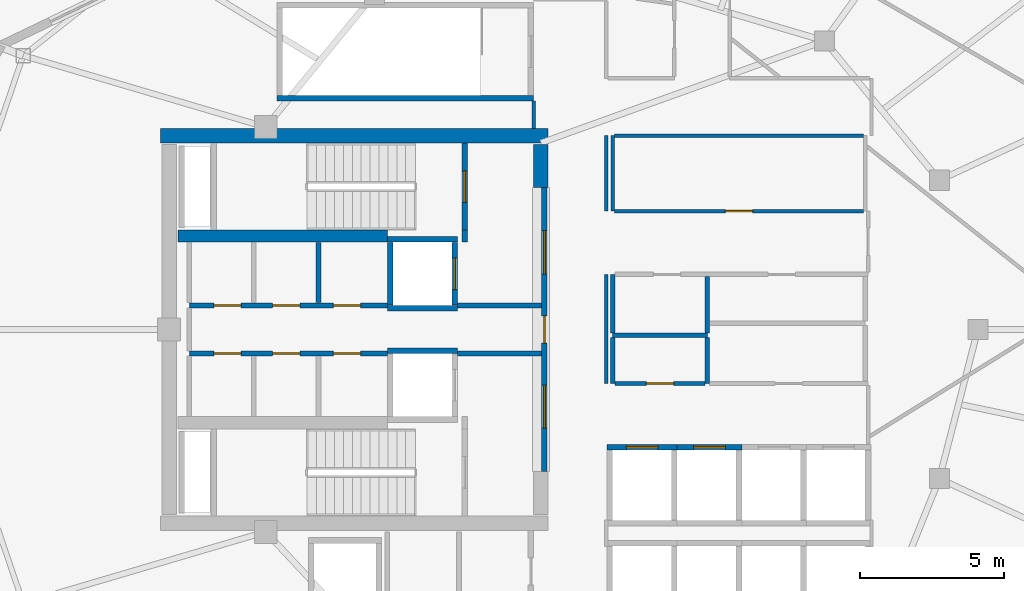
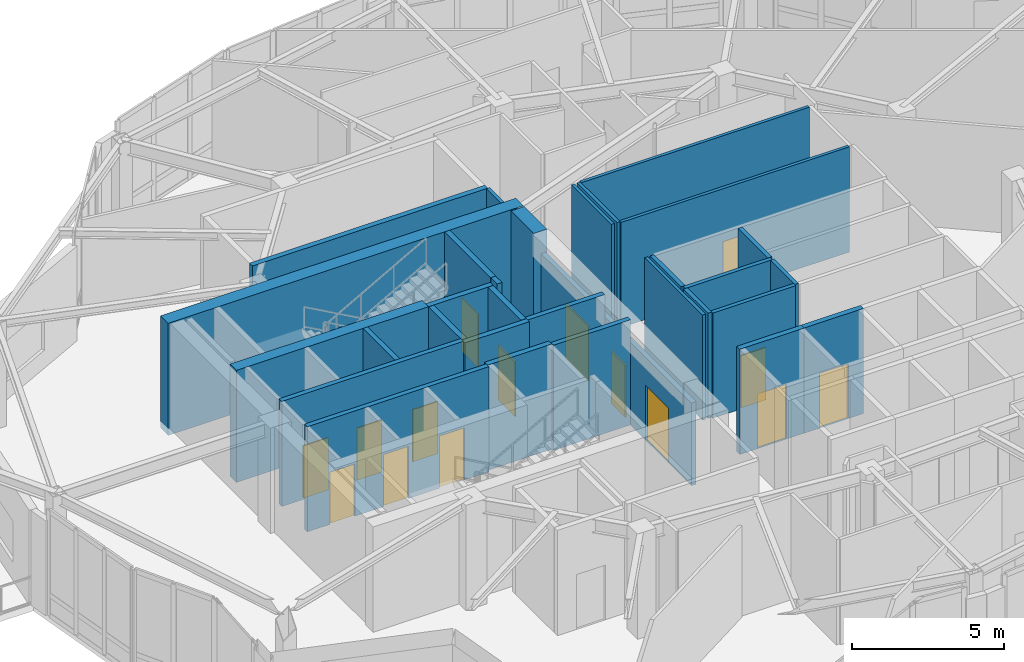
# One storey, part 10 of 15: 31 walls, 15 doors, 15 openings.
"""IFC4 building model written with IfcOpenShell, lengths in metres."""

from ifc_helpers import new_model, si_unit, direction, frame, frame_2d, origin, place, context, subcontext, project, spatial, rectangle, extrude, material, layer, layer_set, type_object, element, fill, save


model = new_model("IFC4")

# Units and contexts
model_context = context("Model", 3, precision=1e-05, world=origin(), true_north=direction((0.0, 1.0)))
body_context = subcontext(model_context, "Body", "Model", "MODEL_VIEW")
ifc_project = project(units=[si_unit("LENGTHUNIT", "METRE"), si_unit("AREAUNIT", "SQUARE_METRE"), si_unit("VOLUMEUNIT", "CUBIC_METRE"), si_unit("PLANEANGLEUNIT", "RADIAN"), si_unit("MASSUNIT", "GRAM", prefix="KILO")], contexts=[model_context])

# Site, building, storey
site_placement = place(None, origin())
site = spatial("IfcSite", under=ifc_project, at=site_placement, CompositionType="ELEMENT")
building_placement = place(site_placement, origin())
building = spatial("IfcBuilding", under=site, at=building_placement, Name="Kolvaren Gate Tower and Convention Centre", CompositionType="ELEMENT")
storey_placement = place(building_placement, frame((0.0, 0.0, 191.89990234375)))
storey = spatial("IfcBuildingStorey", under=building, at=storey_placement, Name="L50", CompositionType="ELEMENT", Elevation=191.89990234375)

# Wall
ifc_material_1 = material(Name="Autoclaved Aerated Masonry Blockwork Class 4 (4.0 MPa)", Category="masonry")
ifc_layer_1 = layer(ifc_material_1, 0.179931640625)
ifc_layer_set_1 = layer_set([ifc_layer_1], Name="Autoclaved Aerated Masonry Blockwork Class 4 (4.0 MPa)")
wall_type_1 = type_object("IfcWallType", Name="ARCH-WL-COMP-180", PredefinedType="SOLIDWALL", material=ifc_layer_set_1)
wall_1_placement = place(storey_placement, frame((24.85009765625, 30.0400390625, 0.0), z_axis=(0.0, 0.0, 1.0), x_axis=(0.0, 1.0, 0.0)))
element("IfcWall", 1, at=wall_1_placement, inside=storey, type_object=wall_type_1, Name="Interior Partition WL-L50-INT-002", PredefinedType="SOLIDWALL", context=body_context, shape_type="SweptSolid", body=[
    extrude(rectangle(XDim=0.419921875, YDim=0.179931640625, at=frame_2d((0.2099609375, 0.0))), origin(), (0.0, 0.0, 1.0), 4.22998046875),
])

# Wall, openings, doors
wall_2_placement = place(storey_placement, frame((27.6201171875, 22.050048828125, 0.0), z_axis=(0.0, 0.0, 1.0), x_axis=(0.0, 1.0, 0.0)))
wall_2 = element("IfcWall", 2, at=wall_2_placement, inside=storey, type_object=wall_type_1, Name="Interior Partition WL-L50-INT-003", PredefinedType="SOLIDWALL", context=body_context, shape_type="SweptSolid", body=[
    extrude(rectangle(XDim=9.89990234375, YDim=0.179931640625, at=frame_2d((4.949951171875, 0.0))), origin(), (0.0, 0.0, 1.0), 3.322021484375),
])
opening_1_placement = place(wall_2_placement, frame((4.47509765625, 0.0, 0.0)))
opening_1 = element("IfcOpeningElement", 3, at=opening_1_placement, cuts=wall_2, Name="Opening DR-01", PredefinedType="OPENING", context=body_context, shape_type="SweptSolid", body=[
    extrude(rectangle(XDim=0.949951171875, YDim=2.10009765625, at=frame_2d((0.47509765625, 1.050048828125))), frame((0.0, 0.099853515625, 0.0), z_axis=(0.0, -1.0, 0.0), x_axis=(1.0, 0.0, 0.0)), (0.0, 0.0, 1.0), 0.199951171875),
])
opening_2_placement = place(wall_2_placement, frame((6.889892578125, 0.0, 0.0)))
opening_2 = element("IfcOpeningElement", 4, at=opening_2_placement, cuts=wall_2, Name="Opening DL-01", PredefinedType="OPENING", context=body_context, shape_type="SweptSolid", body=[
    extrude(rectangle(XDim=1.5, YDim=2.199951171875, at=frame_2d((0.75, 1.10009765625))), frame((0.0, 0.099853515625, 0.0), z_axis=(0.0, -1.0, 0.0), x_axis=(1.0, 0.0, 0.0)), (0.0, 0.0, 1.0), 0.199951171875),
])
opening_3_placement = place(wall_2_placement, frame((1.510009765625, 0.0, 0.0)))
opening_3 = element("IfcOpeningElement", 5, at=opening_3_placement, cuts=wall_2, Name="Opening DL-01", PredefinedType="OPENING", context=body_context, shape_type="SweptSolid", body=[
    extrude(rectangle(XDim=1.5, YDim=2.199951171875, at=frame_2d((0.75, 1.10009765625))), frame((0.0, 0.099853515625, 0.0), z_axis=(0.0, -1.0, 0.0), x_axis=(1.0, 0.0, 0.0)), (0.0, 0.0, 1.0), 0.199951171875),
])
ifc_material_2 = material(Name="Painted Architectural Steelwork ASTM A500 Grade C 345 MPa", Category="steel")
door_type_1 = type_object("IfcDoorType", Name="ARCH-DR-LOBBY-1500", OperationType="DOUBLE_DOOR_SINGLE_SWING", PredefinedType="DOOR", material=ifc_material_2)
door_1_placement = place(opening_2_placement, origin())
door_1 = element("IfcDoor", 6, at=door_1_placement, inside=storey, type_object=door_type_1, Name="North Firefighting Stair and Lift Lobby Door", OperationType="DOUBLE_DOOR_SINGLE_SWING", OverallHeight=2.199951171875, OverallWidth=1.5, PredefinedType="DOOR", context=body_context, shape_type="SweptSolid", body=[
    extrude(rectangle(XDim=1.5, YDim=2.199951171875, at=frame_2d((0.75, 1.10009765625))), frame((0.0, 0.02490234375, 0.0), z_axis=(0.0, -1.0, 0.0), x_axis=(1.0, 0.0, 0.0)), (0.0, 0.0, 1.0), 0.050048828125),
])
fill(opening_2, door_1)
door_2_placement = place(opening_3_placement, origin())
door_2 = element("IfcDoor", 7, at=door_2_placement, inside=storey, type_object=door_type_1, Name="South Firefighting Stair and Lift Lobby Door", OperationType="DOUBLE_DOOR_SINGLE_SWING", OverallHeight=2.199951171875, OverallWidth=1.5, PredefinedType="DOOR", context=body_context, shape_type="SweptSolid", body=[
    extrude(rectangle(XDim=1.5, YDim=2.199951171875, at=frame_2d((0.75, 1.10009765625))), frame((0.0, 0.02490234375, 0.0), z_axis=(0.0, -1.0, 0.0), x_axis=(1.0, 0.0, 0.0)), (0.0, 0.0, 1.0), 0.050048828125),
])
fill(opening_3, door_2)
door_type_2 = type_object("IfcDoorType", Name="ARCH-DR-RISER-950", OperationType="SINGLE_SWING_RIGHT", PredefinedType="DOOR", material=ifc_material_2)
door_3_placement = place(opening_1_placement, origin())
door_3 = element("IfcDoor", 8, at=door_3_placement, inside=storey, type_object=door_type_2, Name="Central MEP Service Corridor Door", OperationType="SINGLE_SWING_LEFT", OverallHeight=2.10009765625, OverallWidth=0.949951171875, PredefinedType="DOOR", context=body_context, shape_type="SweptSolid", body=[
    extrude(rectangle(XDim=0.949951171875, YDim=2.10009765625, at=frame_2d((0.47509765625, 1.050048828125))), frame((0.0, 0.02490234375, 0.0), z_axis=(0.0, -1.0, 0.0), x_axis=(1.0, 0.0, 0.0)), (0.0, 0.0, 1.0), 0.050048828125),
])
fill(opening_1, door_3)

wall_3_placement = place(storey_placement, frame((15.25, 27.840087890625, 0.0), z_axis=(0.0, 0.0, 1.0), x_axis=(1.0, 0.0, 0.0)))
wall_3 = element("IfcWall", 9, at=wall_3_placement, inside=storey, type_object=wall_type_1, Name="Interior Partition WL-L50-INT-004", PredefinedType="SOLIDWALL", context=body_context, shape_type="SweptSolid", body=[
    extrude(rectangle(XDim=6.89990234375, YDim=0.179931640625, at=frame_2d((3.449951171875, 0.0))), origin(), (0.0, 0.0, 1.0), 4.22998046875),
])
opening_4_placement = place(wall_3_placement, frame((5.02001953125, 0.0, 0.0)))
opening_4 = element("IfcOpeningElement", 10, at=opening_4_placement, cuts=wall_3, Name="Opening DR-01", PredefinedType="OPENING", context=body_context, shape_type="SweptSolid", body=[
    extrude(rectangle(XDim=0.949951171875, YDim=2.10009765625, at=frame_2d((0.47509765625, 1.050048828125))), frame((0.0, 0.099853515625, 0.0), z_axis=(0.0, -1.0, 0.0), x_axis=(1.0, 0.0, 0.0)), (0.0, 0.0, 1.0), 0.199951171875),
])
opening_5_placement = place(wall_3_placement, frame((0.85498046875, 0.0, 0.0)))
opening_5 = element("IfcOpeningElement", 11, at=opening_5_placement, cuts=wall_3, Name="Opening DR-01", PredefinedType="OPENING", context=body_context, shape_type="SweptSolid", body=[
    extrude(rectangle(XDim=0.949951171875, YDim=2.10009765625, at=frame_2d((0.47509765625, 1.050048828125))), frame((0.0, 0.099853515625, 0.0), z_axis=(0.0, -1.0, 0.0), x_axis=(1.0, 0.0, 0.0)), (0.0, 0.0, 1.0), 0.199951171875),
])
opening_6_placement = place(wall_3_placement, frame((2.89990234375, 0.0, 0.0)))
opening_6 = element("IfcOpeningElement", 12, at=opening_6_placement, cuts=wall_3, Name="Opening DR-01", PredefinedType="OPENING", context=body_context, shape_type="SweptSolid", body=[
    extrude(rectangle(XDim=0.949951171875, YDim=2.10009765625, at=frame_2d((0.47509765625, 1.050048828125))), frame((0.0, 0.099853515625, 0.0), z_axis=(0.0, -1.0, 0.0), x_axis=(1.0, 0.0, 0.0)), (0.0, 0.0, 1.0), 0.199951171875),
])
door_4_placement = place(opening_4_placement, origin())
door_4 = element("IfcDoor", 13, at=door_4_placement, inside=storey, type_object=door_type_2, Name="Electrical Switchgear Closet Door", OperationType="SINGLE_SWING_RIGHT", OverallHeight=2.10009765625, OverallWidth=0.949951171875, PredefinedType="DOOR", context=body_context, shape_type="SweptSolid", body=[
    extrude(rectangle(XDim=0.949951171875, YDim=2.10009765625, at=frame_2d((0.47509765625, 1.050048828125))), frame((0.0, 0.02490234375, 0.0), z_axis=(0.0, -1.0, 0.0), x_axis=(1.0, 0.0, 0.0)), (0.0, 0.0, 1.0), 0.050048828125),
])
fill(opening_4, door_4)
door_5_placement = place(opening_5_placement, origin())
door_5 = element("IfcDoor", 14, at=door_5_placement, inside=storey, type_object=door_type_2, Name="Staff Accessible WC Door", OperationType="SINGLE_SWING_RIGHT", OverallHeight=2.10009765625, OverallWidth=0.949951171875, PredefinedType="DOOR", context=body_context, shape_type="SweptSolid", body=[
    extrude(rectangle(XDim=0.949951171875, YDim=2.10009765625, at=frame_2d((0.47509765625, 1.050048828125))), frame((0.0, 0.02490234375, 0.0), z_axis=(0.0, -1.0, 0.0), x_axis=(1.0, 0.0, 0.0)), (0.0, 0.0, 1.0), 0.050048828125),
])
fill(opening_5, door_5)
door_6_placement = place(opening_6_placement, origin())
door_6 = element("IfcDoor", 15, at=door_6_placement, inside=storey, type_object=door_type_2, Name="Housekeeping Sink Closet Door", OperationType="SINGLE_SWING_LEFT", OverallHeight=2.10009765625, OverallWidth=0.949951171875, PredefinedType="DOOR", context=body_context, shape_type="SweptSolid", body=[
    extrude(rectangle(XDim=0.949951171875, YDim=2.10009765625, at=frame_2d((0.47509765625, 1.050048828125))), frame((0.0, 0.02490234375, 0.0), z_axis=(0.0, -1.0, 0.0), x_axis=(1.0, 0.0, 0.0)), (0.0, 0.0, 1.0), 0.050048828125),
])
fill(opening_6, door_6)

# Wall
wall_4_placement = place(storey_placement, frame((24.60009765625, 27.840087890625, 0.0), z_axis=(0.0, 0.0, 1.0), x_axis=(1.0, 0.0, 0.0)))
element("IfcWall", 16, at=wall_4_placement, inside=storey, type_object=wall_type_1, Name="Interior Partition WL-L50-INT-004 (2)", PredefinedType="SOLIDWALL", context=body_context, shape_type="SweptSolid", body=[
    extrude(rectangle(XDim=2.927978515625, YDim=0.179931640625, at=frame_2d((1.4638671875, 0.0))), origin(), (0.0, 0.0, 1.0), 4.22998046875),
])

# Wall, openings, doors
wall_5_placement = place(storey_placement, frame((15.25, 26.159912109375, 0.0), z_axis=(0.0, 0.0, 1.0), x_axis=(1.0, 0.0, 0.0)))
wall_5 = element("IfcWall", 17, at=wall_5_placement, inside=storey, type_object=wall_type_1, Name="Interior Partition WL-L50-INT-005", PredefinedType="SOLIDWALL", context=body_context, shape_type="SweptSolid", body=[
    extrude(rectangle(XDim=6.89990234375, YDim=0.179931640625, at=frame_2d((3.449951171875, 0.0))), origin(), (0.0, 0.0, 1.0), 4.22998046875),
])
opening_7_placement = place(wall_5_placement, frame((5.02001953125, 0.0, 0.0)))
opening_7 = element("IfcOpeningElement", 18, at=opening_7_placement, cuts=wall_5, Name="Opening DR-01", PredefinedType="OPENING", context=body_context, shape_type="SweptSolid", body=[
    extrude(rectangle(XDim=0.949951171875, YDim=2.10009765625, at=frame_2d((0.47509765625, 1.050048828125))), frame((0.0, 0.099853515625, 0.0), z_axis=(0.0, -1.0, 0.0), x_axis=(1.0, 0.0, 0.0)), (0.0, 0.0, 1.0), 0.199951171875),
])
opening_8_placement = place(wall_5_placement, frame((0.85498046875, 0.0, 0.0)))
opening_8 = element("IfcOpeningElement", 19, at=opening_8_placement, cuts=wall_5, Name="Opening DR-01", PredefinedType="OPENING", context=body_context, shape_type="SweptSolid", body=[
    extrude(rectangle(XDim=0.949951171875, YDim=2.10009765625, at=frame_2d((0.47509765625, 1.050048828125))), frame((0.0, 0.099853515625, 0.0), z_axis=(0.0, -1.0, 0.0), x_axis=(1.0, 0.0, 0.0)), (0.0, 0.0, 1.0), 0.199951171875),
])
opening_9_placement = place(wall_5_placement, frame((2.89990234375, 0.0, 0.0)))
opening_9 = element("IfcOpeningElement", 20, at=opening_9_placement, cuts=wall_5, Name="Opening DR-01", PredefinedType="OPENING", context=body_context, shape_type="SweptSolid", body=[
    extrude(rectangle(XDim=0.949951171875, YDim=2.10009765625, at=frame_2d((0.47509765625, 1.050048828125))), frame((0.0, 0.099853515625, 0.0), z_axis=(0.0, -1.0, 0.0), x_axis=(1.0, 0.0, 0.0)), (0.0, 0.0, 1.0), 0.199951171875),
])
door_7_placement = place(opening_7_placement, origin())
door_7 = element("IfcDoor", 21, at=door_7_placement, inside=storey, type_object=door_type_2, Name="Domestic Water Meter Closet Door", OperationType="SINGLE_SWING_LEFT", OverallHeight=2.10009765625, OverallWidth=0.949951171875, PredefinedType="DOOR", context=body_context, shape_type="SweptSolid", body=[
    extrude(rectangle(XDim=0.949951171875, YDim=2.10009765625, at=frame_2d((0.47509765625, 1.050048828125))), frame((0.0, 0.02490234375, 0.0), z_axis=(0.0, -1.0, 0.0), x_axis=(1.0, 0.0, 0.0)), (0.0, 0.0, 1.0), 0.050048828125),
])
fill(opening_7, door_7)
door_8_placement = place(opening_8_placement, origin())
door_8 = element("IfcDoor", 22, at=door_8_placement, inside=storey, type_object=door_type_2, Name="Beverage Service Pantry Door", OperationType="SINGLE_SWING_RIGHT", OverallHeight=2.10009765625, OverallWidth=0.949951171875, PredefinedType="DOOR", context=body_context, shape_type="SweptSolid", body=[
    extrude(rectangle(XDim=0.949951171875, YDim=2.10009765625, at=frame_2d((0.47509765625, 1.050048828125))), frame((0.0, 0.02490234375, 0.0), z_axis=(0.0, -1.0, 0.0), x_axis=(1.0, 0.0, 0.0)), (0.0, 0.0, 1.0), 0.050048828125),
])
fill(opening_8, door_8)
door_9_placement = place(opening_9_placement, origin())
door_9 = element("IfcDoor", 23, at=door_9_placement, inside=storey, type_object=door_type_2, Name="Archive Supply Closet Door", OperationType="SINGLE_SWING_LEFT", OverallHeight=2.10009765625, OverallWidth=0.949951171875, PredefinedType="DOOR", context=body_context, shape_type="SweptSolid", body=[
    extrude(rectangle(XDim=0.949951171875, YDim=2.10009765625, at=frame_2d((0.47509765625, 1.050048828125))), frame((0.0, 0.02490234375, 0.0), z_axis=(0.0, -1.0, 0.0), x_axis=(1.0, 0.0, 0.0)), (0.0, 0.0, 1.0), 0.050048828125),
])
fill(opening_9, door_9)

# Walls
wall_6_placement = place(storey_placement, frame((24.60009765625, 26.159912109375, 0.0), z_axis=(0.0, 0.0, 1.0), x_axis=(1.0, 0.0, 0.0)))
element("IfcWall", 24, at=wall_6_placement, inside=storey, type_object=wall_type_1, Name="Interior Partition WL-L50-INT-005 (2)", PredefinedType="SOLIDWALL", context=body_context, shape_type="SweptSolid", body=[
    extrude(rectangle(XDim=2.927978515625, YDim=0.179931640625, at=frame_2d((1.4638671875, 0.0))), origin(), (0.0, 0.0, 1.0), 4.22998046875),
])
wall_7_placement = place(storey_placement, frame((19.75, 27.931884765625, 0.0), z_axis=(0.0, 0.0, 1.0), x_axis=(0.0, 1.0, 0.0)))
element("IfcWall", 25, at=wall_7_placement, inside=storey, type_object=wall_type_1, Name="Interior Partition WL-L50-INT-008", PredefinedType="SOLIDWALL", context=body_context, shape_type="SweptSolid", body=[
    extrude(rectangle(XDim=2.106201171875, YDim=0.179931640625, at=frame_2d((1.05322265625, 0.0))), origin(), (0.0, 0.0, 1.0), 4.22998046875),
])
ifc_material_3 = material(Name="Fire-Rated Acoustic Gypsum Stud Partition", Category="gypsum")
ifc_layer_2 = layer(ifc_material_3, 0.1201171875)
ifc_layer_set_2 = layer_set([ifc_layer_2], Name="Fire-Rated Acoustic Gypsum Stud Partition")
wall_type_2 = type_object("IfcWallType", Name="ARCH-WL-PART-120", PredefinedType="PARTITIONING", material=ifc_layer_set_2)
wall_8_placement = place(storey_placement, frame((30.0, 31.1201171875, 0.0), z_axis=(0.0, 0.0, 1.0), x_axis=(0.0, 1.0, 0.0)))
element("IfcWall", 26, at=wall_8_placement, inside=storey, type_object=wall_type_2, Name="Interior Partition WL-L50-INT-018", PredefinedType="PARTITIONING", context=body_context, shape_type="SweptSolid", body=[
    extrude(rectangle(XDim=2.6298828125, YDim=0.1201171875, at=frame_2d((1.31494140625, 0.0))), origin(), (0.0, 0.0, 1.0), 4.22998046875),
])

# Wall, opening, door
wall_9_placement = place(storey_placement, frame((30.06201171875, 31.1201171875, 0.0), z_axis=(0.0, 0.0, 1.0), x_axis=(1.0, 0.0, 0.0)))
wall_9 = element("IfcWall", 27, at=wall_9_placement, inside=storey, type_object=wall_type_2, Name="Interior Partition WL-L50-INT-025", PredefinedType="PARTITIONING", context=body_context, shape_type="SweptSolid", body=[
    extrude(rectangle(XDim=8.676025390625, YDim=0.1201171875, at=frame_2d((4.337890625, 0.0))), origin(), (0.0, 0.0, 1.0), 4.22998046875),
])
opening_10_placement = place(wall_9_placement, frame((3.863037109375, 0.0, 0.0)))
opening_10 = element("IfcOpeningElement", 28, at=opening_10_placement, cuts=wall_9, Name="Opening DR-01", PredefinedType="OPENING", context=body_context, shape_type="SweptSolid", body=[
    extrude(rectangle(XDim=0.949951171875, YDim=2.10009765625, at=frame_2d((0.47509765625, 1.050048828125))), frame((0.0, 0.070068359375, 0.0), z_axis=(0.0, -1.0, 0.0), x_axis=(1.0, 0.0, 0.0)), (0.0, 0.0, 1.0), 0.14013671875),
])
door_10_placement = place(opening_10_placement, origin())
door_10 = element("IfcDoor", 29, at=door_10_placement, inside=storey, type_object=door_type_2, Name="Botanical Reading Clubroom Door", OperationType="SINGLE_SWING_RIGHT", OverallHeight=2.10009765625, OverallWidth=0.949951171875, PredefinedType="DOOR", context=body_context, shape_type="SweptSolid", body=[
    extrude(rectangle(XDim=0.949951171875, YDim=2.10009765625, at=frame_2d((0.47509765625, 1.050048828125))), frame((0.0, 0.02490234375, 0.0), z_axis=(0.0, -1.0, 0.0), x_axis=(1.0, 0.0, 0.0)), (0.0, 0.0, 1.0), 0.050048828125),
])
fill(opening_10, door_10)

# Walls
wall_10_placement = place(storey_placement, frame((30.06201171875, 33.75, 0.0), z_axis=(0.0, 0.0, 1.0), x_axis=(1.0, 0.0, 0.0)))
element("IfcWall", 30, at=wall_10_placement, inside=storey, type_object=wall_type_2, Name="Interior Partition WL-L50-INT-026", PredefinedType="PARTITIONING", context=body_context, shape_type="SweptSolid", body=[
    extrude(rectangle(XDim=8.676025390625, YDim=0.1201171875, at=frame_2d((4.337890625, 0.0))), origin(), (0.0, 0.0, 1.0), 4.22998046875),
])
wall_11_placement = place(storey_placement, frame((27.25, 34.001953125, 0.0), z_axis=(0.0, 0.0, 1.0), x_axis=(0.0, 1.0, 0.0)))
element("IfcWall", 31, at=wall_11_placement, inside=storey, type_object=wall_type_2, Name="Interior Partition WL-L50-INT-037", PredefinedType="PARTITIONING", context=body_context, shape_type="SweptSolid", body=[
    extrude(rectangle(XDim=0.9560546875, YDim=0.1201171875, at=frame_2d((0.47802734375, 0.0))), origin(), (0.0, 0.0, 1.0), 4.22998046875),
])
wall_12_placement = place(storey_placement, frame((29.780029296875, 25.1201171875, 0.0), z_axis=(0.0, 0.0, 1.0), x_axis=(0.0, 1.0, 0.0)))
element("IfcWall", 32, at=wall_12_placement, inside=storey, type_object=wall_type_2, Name="Interior Partition WL-L50-INT-040", PredefinedType="PARTITIONING", context=body_context, shape_type="SweptSolid", body=[
    extrude(rectangle(XDim=3.7998046875, YDim=0.1201171875, at=frame_2d((1.89990234375, 0.0))), origin(), (0.0, 0.0, 1.0), 4.22998046875),
])
wall_13_placement = place(storey_placement, frame((29.780029296875, 31.1201171875, 0.0), z_axis=(0.0, 0.0, 1.0), x_axis=(0.0, 1.0, 0.0)))
element("IfcWall", 33, at=wall_13_placement, inside=storey, type_object=wall_type_2, Name="Interior Partition WL-L50-INT-041", PredefinedType="PARTITIONING", context=body_context, shape_type="SweptSolid", body=[
    extrude(rectangle(XDim=2.6298828125, YDim=0.1201171875, at=frame_2d((1.31494140625, 0.0))), origin(), (0.0, 0.0, 1.0), 4.22998046875),
])
ifc_layer_3 = layer(ifc_material_1, 0.199951171875)
ifc_layer_set_3 = layer_set([ifc_layer_3], Name="Autoclaved Aerated Masonry Blockwork Class 4 (4.0 MPa)")
wall_type_3 = type_object("IfcWallType", Name="ARCH-WL-SHAFT-200", PredefinedType="SOLIDWALL", material=ifc_layer_set_3)
for number, where, z_axis, x_axis, name in (
    (34, (22.14990234375, 30.139892578125, 0.0), (0.0, 0.0, 1.0), (1.0, 0.0, 0.0), "Elevator FF-01 L50 Fire Shaft Wall N"),
    (35, (22.14990234375, 27.739990234375, 0.0), (0.0, 0.0, 1.0), (1.0, 0.0, 0.0), "Elevator FF-01 L50 Fire Shaft Wall S"),
):
    element("IfcWall", number, at=place(storey_placement, frame(where, z_axis=z_axis, x_axis=x_axis)), inside=storey, type_object=wall_type_3, Name=name, PredefinedType="SOLIDWALL", context=body_context, shape_type="SweptSolid", body=[
        extrude(rectangle(XDim=2.4501953125, YDim=0.199951171875, at=frame_2d((1.22509765625, 0.0))), origin(), (0.0, 0.0, 1.0), 4.22998046875),
    ])
wall_14_placement = place(storey_placement, frame((22.25, 27.85009765625, 0.0), z_axis=(0.0, 0.0, 1.0), x_axis=(0.0, 1.0, 0.0)))
element("IfcWall", 36, at=wall_14_placement, inside=storey, type_object=wall_type_3, Name="Elevator FF-01 L50 Fire Shaft Wall W", PredefinedType="SOLIDWALL", context=body_context, shape_type="SweptSolid", body=[
    extrude(rectangle(XDim=2.179931640625, YDim=0.199951171875, at=frame_2d((1.08984375, 0.0))), origin(), (0.0, 0.0, 1.0), 4.22998046875),
])

# Wall, opening, door
wall_15_placement = place(storey_placement, frame((24.5, 27.85009765625, 0.0), z_axis=(0.0, 0.0, 1.0), x_axis=(0.0, 1.0, 0.0)))
wall_15 = element("IfcWall", 37, at=wall_15_placement, inside=storey, type_object=wall_type_3, Name="Elevator FF-01 L50 Fire Shaft Wall E", PredefinedType="SOLIDWALL", context=body_context, shape_type="SweptSolid", body=[
    extrude(rectangle(XDim=2.179931640625, YDim=0.199951171875, at=frame_2d((1.08984375, 0.0))), origin(), (0.0, 0.0, 1.0), 4.22998046875),
])
opening_11_placement = place(wall_15_placement, frame((0.5400390625, 0.0, 0.0)))
opening_11 = element("IfcOpeningElement", 38, at=opening_11_placement, cuts=wall_15, Name="Opening LD", PredefinedType="OPENING", context=body_context, shape_type="SweptSolid", body=[
    extrude(rectangle(XDim=1.10009765625, YDim=2.199951171875, at=frame_2d((0.550048828125, 1.10009765625))), frame((0.0, 0.10986328125, 0.0), z_axis=(0.0, -1.0, 0.0), x_axis=(1.0, 0.0, 0.0)), (0.0, 0.0, 1.0), 0.219970703125),
])
ifc_material_4 = material(Name="Brushed Stainless Steel Grade 316L", Category="steel")
door_type_3 = type_object("IfcDoorType", Name="ARCH-DR-LIFT-1100", OperationType="SLIDING_TO_LEFT", PredefinedType="DOOR", material=ifc_material_4)
door_11_placement = place(opening_11_placement, origin())
door_11 = element("IfcDoor", 39, at=door_11_placement, inside=storey, type_object=door_type_3, Name="Elevator FF-01 L50 Sliding Landing Door", OperationType="SLIDING_TO_LEFT", OverallHeight=2.199951171875, OverallWidth=1.10009765625, PredefinedType="DOOR", context=body_context, shape_type="SweptSolid", body=[
    extrude(rectangle(XDim=1.10009765625, YDim=2.199951171875, at=frame_2d((0.550048828125, 1.10009765625))), frame((0.0, 0.02490234375, 0.0), z_axis=(0.0, -1.0, 0.0), x_axis=(1.0, 0.0, 0.0)), (0.0, 0.0, 1.0), 0.050048828125),
])
fill(opening_11, door_11)

# Wall
wall_16_placement = place(storey_placement, frame((22.14990234375, 26.260009765625, 0.0), z_axis=(0.0, 0.0, 1.0), x_axis=(1.0, 0.0, 0.0)))
element("IfcWall", 40, at=wall_16_placement, inside=storey, type_object=wall_type_3, Name="Elevator FF-02 L50 Fire Shaft Wall N", PredefinedType="SOLIDWALL", context=body_context, shape_type="SweptSolid", body=[
    extrude(rectangle(XDim=2.4501953125, YDim=0.199951171875, at=frame_2d((1.22509765625, 0.0))), origin(), (0.0, 0.0, 1.0), 4.22998046875),
])

# Wall, opening, door
wall_17_placement = place(storey_placement, frame((29.800048828125, 22.89990234375, 0.0), z_axis=(0.0, 0.0, 1.0), x_axis=(1.0, 0.0, 0.0)))
wall_17 = element("IfcWall", 41, at=wall_17_placement, inside=storey, type_object=wall_type_3, Name="Elevator PL-09 L50 Fire Shaft Wall N", PredefinedType="SOLIDWALL", context=body_context, shape_type="SweptSolid", body=[
    extrude(rectangle(XDim=2.449951171875, YDim=0.199951171875, at=frame_2d((1.22509765625, 0.0))), origin(), (0.0, 0.0, 1.0), 4.22998046875),
])
opening_12_placement = place(wall_17_placement, frame((0.675048828125, 0.0, 0.0)))
opening_12 = element("IfcOpeningElement", 42, at=opening_12_placement, cuts=wall_17, Name="Opening LD", PredefinedType="OPENING", context=body_context, shape_type="SweptSolid", body=[
    extrude(rectangle(XDim=1.10009765625, YDim=2.199951171875, at=frame_2d((0.550048828125, 1.10009765625))), frame((0.0, 0.10986328125, 0.0), z_axis=(0.0, -1.0, 0.0), x_axis=(1.0, 0.0, 0.0)), (0.0, 0.0, 1.0), 0.219970703125),
])
door_12_placement = place(opening_12_placement, origin())
door_12 = element("IfcDoor", 43, at=door_12_placement, inside=storey, type_object=door_type_3, Name="Elevator PL-09 L50 Sliding Landing Door", OperationType="SLIDING_TO_LEFT", OverallHeight=2.199951171875, OverallWidth=1.10009765625, PredefinedType="DOOR", context=body_context, shape_type="SweptSolid", body=[
    extrude(rectangle(XDim=1.10009765625, YDim=2.199951171875, at=frame_2d((0.550048828125, 1.10009765625))), frame((0.0, 0.02490234375, 0.0), z_axis=(0.0, -1.0, 0.0), x_axis=(1.0, 0.0, 0.0)), (0.0, 0.0, 1.0), 0.050048828125),
])
fill(opening_12, door_12)

wall_18_placement = place(storey_placement, frame((32.25, 22.89990234375, 0.0), z_axis=(0.0, 0.0, 1.0), x_axis=(1.0, 0.0, 0.0)))
wall_18 = element("IfcWall", 44, at=wall_18_placement, inside=storey, type_object=wall_type_3, Name="Elevator PL-10 L50 Fire Shaft Wall N", PredefinedType="SOLIDWALL", context=body_context, shape_type="SweptSolid", body=[
    extrude(rectangle(XDim=2.25, YDim=0.199951171875, at=frame_2d((1.125, 0.0))), origin(), (0.0, 0.0, 1.0), 4.22998046875),
])
opening_13_placement = place(wall_18_placement, frame((0.574951171875, 0.0, 0.0)))
opening_13 = element("IfcOpeningElement", 45, at=opening_13_placement, cuts=wall_18, Name="Opening LD", PredefinedType="OPENING", context=body_context, shape_type="SweptSolid", body=[
    extrude(rectangle(XDim=1.10009765625, YDim=2.199951171875, at=frame_2d((0.550048828125, 1.10009765625))), frame((0.0, 0.10986328125, 0.0), z_axis=(0.0, -1.0, 0.0), x_axis=(1.0, 0.0, 0.0)), (0.0, 0.0, 1.0), 0.219970703125),
])
door_13_placement = place(opening_13_placement, origin())
door_13 = element("IfcDoor", 46, at=door_13_placement, inside=storey, type_object=door_type_3, Name="Elevator PL-10 L50 Sliding Landing Door", OperationType="SLIDING_TO_LEFT", OverallHeight=2.199951171875, OverallWidth=1.10009765625, PredefinedType="DOOR", context=body_context, shape_type="SweptSolid", body=[
    extrude(rectangle(XDim=1.10009765625, YDim=2.199951171875, at=frame_2d((0.550048828125, 1.10009765625))), frame((0.0, 0.02490234375, 0.0), z_axis=(0.0, -1.0, 0.0), x_axis=(1.0, 0.0, 0.0)), (0.0, 0.0, 1.0), 0.050048828125),
])
fill(opening_13, door_13)

# Walls
ifc_material_5 = material(Name="Moisture-Resistant Cement-Board Acoustic Partition", Category="gypsum")
ifc_layer_4 = layer(ifc_material_5, 0.14990234375)
ifc_layer_set_4 = layer_set([ifc_layer_4], Name="Moisture-Resistant Cement-Board Acoustic Partition")
wall_type_4 = type_object("IfcWallType", Name="ARCH-WL-WET-150", PredefinedType="PARTITIONING", material=ifc_layer_set_4)
wall_19_placement = place(storey_placement, frame((30.0, 26.800048828125, 0.0), z_axis=(0.0, 0.0, 1.0), x_axis=(1.0, 0.0, 0.0)))
element("IfcWall", 47, at=wall_19_placement, inside=storey, type_object=wall_type_4, Name="Interior Partition WL-L50-INT-016", PredefinedType="PARTITIONING", context=body_context, shape_type="SweptSolid", body=[
    extrude(rectangle(XDim=3.300048828125, YDim=0.14990234375, at=frame_2d((1.64990234375, 0.0))), origin(), (0.0, 0.0, 1.0), 4.22998046875),
])
wall_20_placement = place(storey_placement, frame((30.0, 25.1201171875, 0.0), z_axis=(0.0, 0.0, 1.0), x_axis=(0.0, 1.0, 0.0)))
element("IfcWall", 48, at=wall_20_placement, inside=storey, type_object=wall_type_4, Name="Interior Partition WL-L50-INT-017", PredefinedType="PARTITIONING", context=body_context, shape_type="SweptSolid", body=[
    extrude(rectangle(XDim=1.602783203125, YDim=0.14990234375, at=frame_2d((0.80126953125, 0.0))), origin(), (0.0, 0.0, 1.0), 4.22998046875),
])
wall_21_placement = place(storey_placement, frame((30.0, 26.876953125, 0.0), z_axis=(0.0, 0.0, 1.0), x_axis=(0.0, 1.0, 0.0)))
element("IfcWall", 49, at=wall_21_placement, inside=storey, type_object=wall_type_4, Name="Interior Partition WL-L50-INT-017 (2)", PredefinedType="PARTITIONING", context=body_context, shape_type="SweptSolid", body=[
    extrude(rectangle(XDim=2.04296875, YDim=0.14990234375, at=frame_2d((1.021484375, 0.0))), origin(), (0.0, 0.0, 1.0), 4.22998046875),
])
wall_22_placement = place(storey_placement, frame((33.300048828125, 25.1201171875, 0.0), z_axis=(0.0, 0.0, 1.0), x_axis=(0.0, 1.0, 0.0)))
element("IfcWall", 50, at=wall_22_placement, inside=storey, type_object=wall_type_4, Name="Interior Partition WL-L50-INT-020", PredefinedType="PARTITIONING", context=body_context, shape_type="SweptSolid", body=[
    extrude(rectangle(XDim=1.602783203125, YDim=0.14990234375, at=frame_2d((0.80126953125, 0.0))), origin(), (0.0, 0.0, 1.0), 4.22998046875),
])
wall_23_placement = place(storey_placement, frame((33.300048828125, 26.876953125, 0.0), z_axis=(0.0, 0.0, 1.0), x_axis=(0.0, 1.0, 0.0)))
element("IfcWall", 51, at=wall_23_placement, inside=storey, type_object=wall_type_4, Name="Interior Partition WL-L50-INT-020 (2)", PredefinedType="PARTITIONING", context=body_context, shape_type="SweptSolid", body=[
    extrude(rectangle(XDim=1.966064453125, YDim=0.14990234375, at=frame_2d((0.98291015625, 0.0))), origin(), (0.0, 0.0, 1.0), 4.22998046875),
])

# Wall, opening, door
wall_24_placement = place(storey_placement, frame((30.076904296875, 25.1201171875, 0.0), z_axis=(0.0, 0.0, 1.0), x_axis=(1.0, 0.0, 0.0)))
wall_24 = element("IfcWall", 52, at=wall_24_placement, inside=storey, type_object=wall_type_4, Name="Interior Partition WL-L50-INT-021", PredefinedType="PARTITIONING", context=body_context, shape_type="SweptSolid", body=[
    extrude(rectangle(XDim=3.14599609375, YDim=0.14990234375, at=frame_2d((1.572998046875, 0.0))), origin(), (0.0, 0.0, 1.0), 4.22998046875),
])
opening_14_placement = place(wall_24_placement, frame((1.097900390625, 0.0, 0.0)))
opening_14 = element("IfcOpeningElement", 53, at=opening_14_placement, cuts=wall_24, Name="Opening DR-01", PredefinedType="OPENING", context=body_context, shape_type="SweptSolid", body=[
    extrude(rectangle(XDim=0.949951171875, YDim=2.10009765625, at=frame_2d((0.47509765625, 1.050048828125))), frame((0.0, 0.0849609375, 0.0), z_axis=(0.0, -1.0, 0.0), x_axis=(1.0, 0.0, 0.0)), (0.0, 0.0, 1.0), 0.169921875),
])
door_14_placement = place(opening_14_placement, origin())
door_14 = element("IfcDoor", 54, at=door_14_placement, inside=storey, type_object=door_type_2, Name="South Visitor Washroom Door", OperationType="SINGLE_SWING_LEFT", OverallHeight=2.10009765625, OverallWidth=0.949951171875, PredefinedType="DOOR", context=body_context, shape_type="SweptSolid", body=[
    extrude(rectangle(XDim=0.949951171875, YDim=2.10009765625, at=frame_2d((0.47509765625, 1.050048828125))), frame((0.0, 0.02490234375, 0.0), z_axis=(0.0, -1.0, 0.0), x_axis=(1.0, 0.0, 0.0)), (0.0, 0.0, 1.0), 0.050048828125),
])
fill(opening_14, door_14)

# Walls
ifc_material_6 = material(Name="Concrete C50/60", Category="concrete")
ifc_layer_5 = layer(ifc_material_6, 0.419921875)
ifc_layer_set_5 = layer_set([ifc_layer_5], Name="Concrete C50/60")
wall_type_5 = type_object("IfcWallType", Name="STR-WL-CONV-420", PredefinedType="SHEAR", material=ifc_layer_set_5)
wall_25_placement = place(storey_placement, frame((14.85009765625, 30.25, -0.27978515625), z_axis=(0.0, 0.0, 1.0), x_axis=(1.0, 0.0, 0.0)))
element("IfcWall", 55, at=wall_25_placement, inside=storey, type_object=wall_type_5, Name="Tower L50 Offset Core Shear Wall WN", PredefinedType="SHEAR", context=body_context, shape_type="SweptSolid", body=[
    extrude(rectangle(XDim=7.2998046875, YDim=0.419921875, at=frame_2d((3.64990234375, 0.0))), origin(), (0.0, 0.0, 1.0), 4.509765625),
])
ifc_layer_6 = layer(ifc_material_6, 0.5)
ifc_layer_set_6 = layer_set([ifc_layer_6], Name="Concrete C50/60")
wall_type_6 = type_object("IfcWallType", Name="STR-WL-CORE-500", PredefinedType="SHEAR", material=ifc_layer_set_6)
wall_26_placement = place(storey_placement, frame((14.25, 33.75, -0.27978515625), z_axis=(0.0, 0.0, 1.0), x_axis=(1.0, 0.0, 0.0)))
element("IfcWall", 56, at=wall_26_placement, inside=storey, type_object=wall_type_6, Name="Tower L50 Offset Core Shear Wall N", PredefinedType="SHEAR", context=body_context, shape_type="SweptSolid", body=[
    extrude(rectangle(XDim=13.5, YDim=0.5, at=frame_2d((6.75, 0.0))), origin(), (0.0, 0.0, 1.0), 4.509765625),
])
wall_27_placement = place(storey_placement, frame((27.5, 31.949951171875, -0.27978515625), z_axis=(0.0, 0.0, 1.0), x_axis=(0.0, 1.0, 0.0)))
element("IfcWall", 57, at=wall_27_placement, inside=storey, type_object=wall_type_6, Name="Tower L50 Offset Core Shear Wall EN", PredefinedType="SHEAR", context=body_context, shape_type="SweptSolid", body=[
    extrude(rectangle(XDim=1.5, YDim=0.5, at=frame_2d((0.75, 0.0))), origin(), (0.0, 0.0, 1.0), 4.509765625),
])

# Wall, opening, door
ifc_layer_7 = layer(ifc_material_6, 0.199951171875)
ifc_layer_set_7 = layer_set([ifc_layer_7], Name="Concrete C50/60")
wall_type_7 = type_object("IfcWallType", Name="STR-WL-SHAFT-200", PredefinedType="SHEAR", material=ifc_layer_set_7)
wall_28_placement = place(storey_placement, frame((24.85009765625, 30.4599609375, -0.27978515625), z_axis=(0.0, 0.0, 1.0), x_axis=(0.0, 1.0, 0.0)))
wall_28 = element("IfcWall", 58, at=wall_28_placement, inside=storey, type_object=wall_type_7, Name="Tower North Exit Stair ST-T1 L50 Structural Shear Enclosure Wall NEAR", PredefinedType="SHEAR", context=body_context, shape_type="SweptSolid", body=[
    extrude(rectangle(XDim=3.0380859375, YDim=0.199951171875, at=frame_2d((1.51904296875, 0.0))), origin(), (0.0, 0.0, 1.0), 4.509765625),
])
opening_15_placement = place(wall_28_placement, frame((0.968994140625, 0.0, 0.280029296875)))
opening_15 = element("IfcOpeningElement", 59, at=opening_15_placement, cuts=wall_28, Name="Opening DS-01", PredefinedType="OPENING", context=body_context, shape_type="SweptSolid", body=[
    extrude(rectangle(XDim=1.10009765625, YDim=2.14990234375, at=frame_2d((0.550048828125, 1.074951171875))), frame((0.0, 0.10986328125, 0.0), z_axis=(0.0, -1.0, 0.0), x_axis=(1.0, 0.0, 0.0)), (0.0, 0.0, 1.0), 0.219970703125),
])
door_type_4 = type_object("IfcDoorType", Name="ARCH-DR-STAIR-1100", OperationType="SINGLE_SWING_LEFT", PredefinedType="DOOR", material=ifc_material_2)
door_15_placement = place(opening_15_placement, origin())
door_15 = element("IfcDoor", 60, at=door_15_placement, inside=storey, type_object=door_type_4, Name="Tower North Exit Stair ST-T1 L50 Fire Exit Stair Door", OperationType="SINGLE_SWING_RIGHT", OverallHeight=2.14990234375, OverallWidth=1.10009765625, PredefinedType="DOOR", context=body_context, shape_type="SweptSolid", body=[
    extrude(rectangle(XDim=1.10009765625, YDim=2.14990234375, at=frame_2d((0.550048828125, 1.074951171875))), frame((0.0, 0.02490234375, 0.0), z_axis=(0.0, -1.0, 0.0), x_axis=(1.0, 0.0, 0.0)), (0.0, 0.0, 1.0), 0.050048828125),
])
fill(opening_15, door_15)

# Wall
wall_29_placement = place(storey_placement, frame((18.300048828125, 35.06005859375, -0.27978515625), z_axis=(0.0, 0.0, 1.0), x_axis=(1.0, 0.0, 0.0)))
element("IfcWall", 61, at=wall_29_placement, inside=storey, type_object=wall_type_7, Name="Tower Mid-Zone Exit Stair ST-T3 L50 Structural Shear Enclosure Wall RGHT", PredefinedType="SHEAR", context=body_context, shape_type="SweptSolid", body=[
    extrude(rectangle(XDim=8.949951171875, YDim=0.199951171875, at=frame_2d((4.47509765625, 0.0))), origin(), (0.0, 0.0, 1.0), 4.509765625),
])

save(model, "model.ifc")
